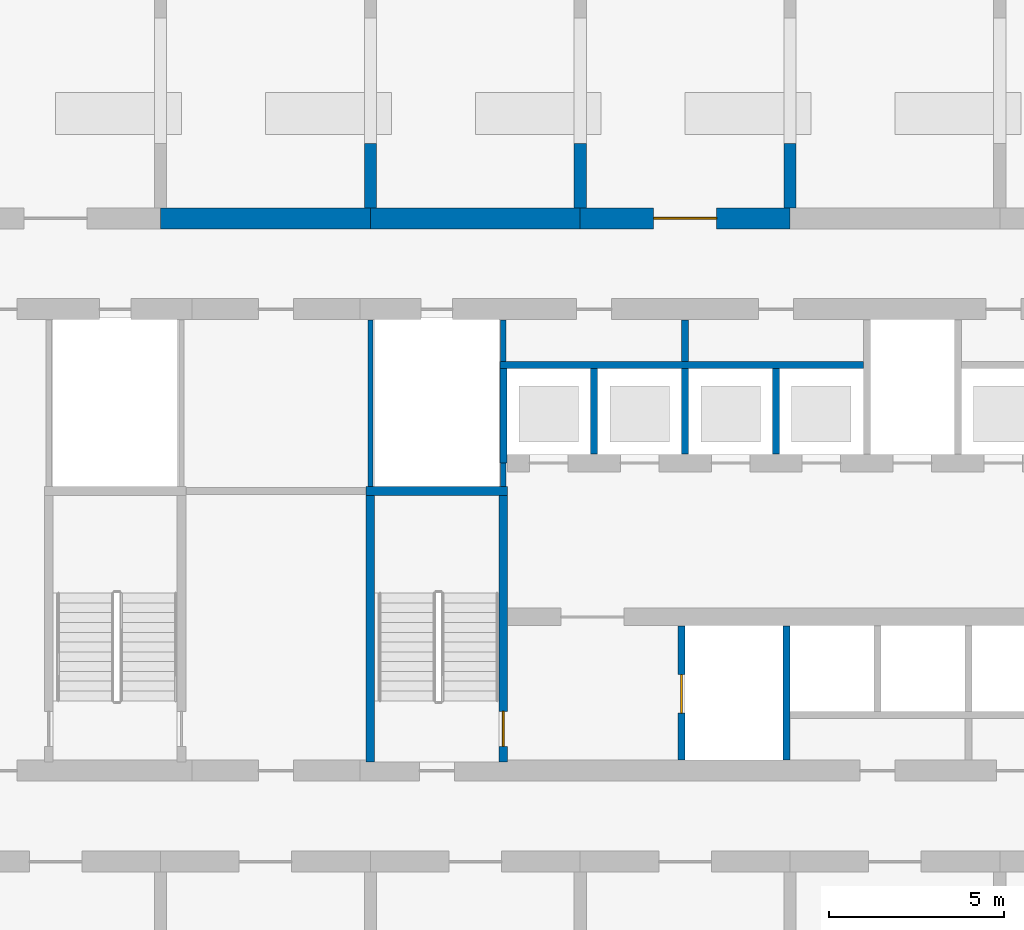
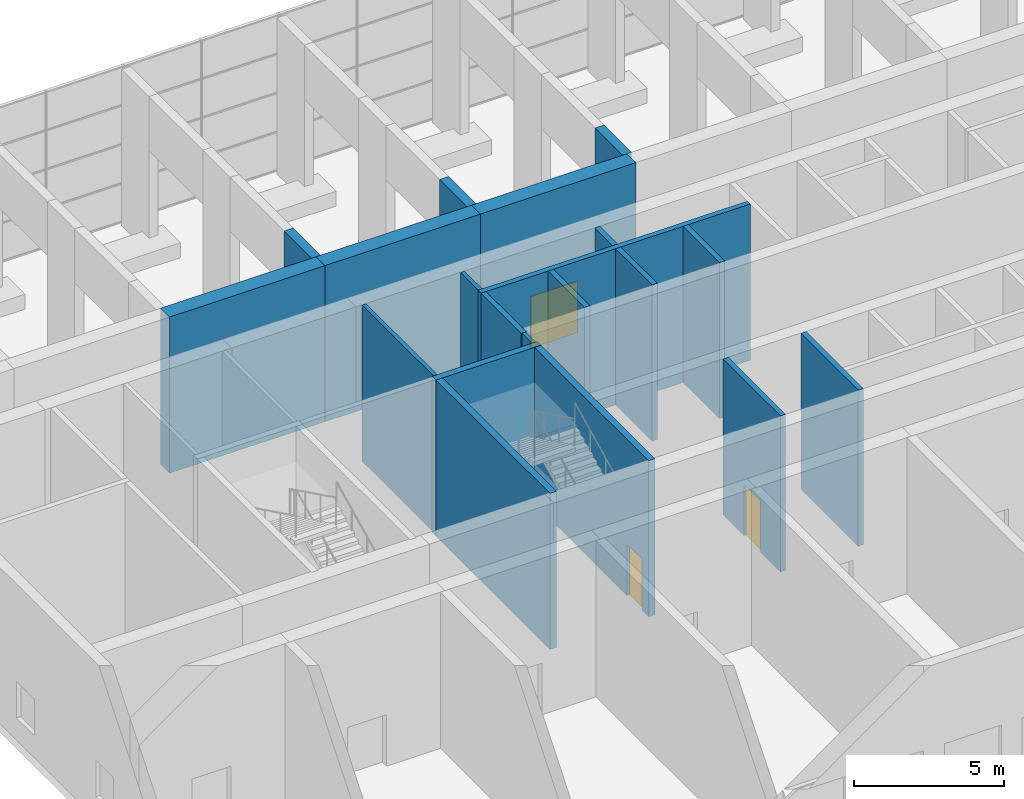
# One storey, part 7 of 16: 20 walls, 3 doors, 3 openings.
"""IFC4 building model written with IfcOpenShell, lengths in metres."""

from ifc_helpers import new_model, si_unit, direction, frame, frame_2d, origin, place, context, subcontext, project, spatial, rectangle, extrude, material, layer, layer_set, type_object, element, fill, save


model = new_model("IFC4")

# Units and contexts
model_context = context("Model", 3, precision=1e-05, world=origin(), true_north=direction((0.0, 1.0)))
body_context = subcontext(model_context, "Body", "Model", "MODEL_VIEW")
ifc_project = project(units=[si_unit("LENGTHUNIT", "METRE"), si_unit("AREAUNIT", "SQUARE_METRE"), si_unit("VOLUMEUNIT", "CUBIC_METRE"), si_unit("PLANEANGLEUNIT", "RADIAN"), si_unit("MASSUNIT", "GRAM", prefix="KILO")], contexts=[model_context])

# Site, building, storey
site_placement = place(None, origin())
site = spatial("IfcSite", under=ifc_project, at=site_placement, CompositionType="ELEMENT")
building_placement = place(site_placement, origin())
building = spatial("IfcBuilding", under=site, at=building_placement, Name="Poui Terraces", CompositionType="ELEMENT")
storey_placement = place(building_placement, frame((0.0, 0.0, 115.800048828125)))
storey = spatial("IfcBuildingStorey", under=building, at=storey_placement, Name="L32", CompositionType="ELEMENT", Elevation=115.800048828125)

# Walls
ifc_material_1 = material(Name="Concrete 65 MPa", Category="concrete")
ifc_layer_1 = layer(ifc_material_1, 0.60009765625)
ifc_layer_set_1 = layer_set([ifc_layer_1], Name="Concrete 65 MPa")
wall_type_1 = type_object("IfcWallType", Name="BELT WALL 600 65MPa", PredefinedType="SHEAR", material=ifc_layer_set_1)
for number, where, z_axis, x_axis, name in (
    (1, (24.0, 30.39990234375, 0.0), (0.0, 0.0, 1.0), (1.0, 0.0, 0.0), "BELT WALL LINE E BAY 3"),
    (2, (30.0, 30.39990234375, 0.0), (0.0, 0.0, 1.0), (1.0, 0.0, 0.0), "BELT WALL LINE E BAY 4"),
):
    element("IfcWall", number, at=place(storey_placement, frame(where, z_axis=z_axis, x_axis=x_axis)), inside=storey, type_object=wall_type_1, Name=name, PredefinedType="SHEAR", context=body_context, shape_type="SweptSolid", body=[
        extrude(rectangle(XDim=6.0, YDim=0.60009765625, at=frame_2d((3.0, 0.0))), origin(), (0.0, 0.0, 1.0), 6.369873046875),
    ])

# Wall, opening, door
wall_1_placement = place(storey_placement, frame((36.0, 30.39990234375, 0.0), z_axis=(0.0, 0.0, 1.0), x_axis=(1.0, 0.0, 0.0)))
wall_1 = element("IfcWall", 3, at=wall_1_placement, inside=storey, type_object=wall_type_1, Name="BELT WALL LINE E BAY 5", PredefinedType="SHEAR", context=body_context, shape_type="SweptSolid", body=[
    extrude(rectangle(XDim=6.0, YDim=0.60009765625, at=frame_2d((3.0, 0.0))), origin(), (0.0, 0.0, 1.0), 6.369873046875),
])
opening_1_placement = place(wall_1_placement, frame((2.10009765625, 0.0, 0.0)))
opening_1 = element("IfcOpeningElement", 4, at=opening_1_placement, cuts=wall_1, Name="Opening DD180", PredefinedType="OPENING", context=body_context, shape_type="SweptSolid", body=[
    extrude(rectangle(XDim=1.800048828125, YDim=2.10009765625, at=frame_2d((0.89990234375, 1.050048828125))), frame((0.0, 0.31005859375, 0.0), z_axis=(0.0, -1.0, 0.0), x_axis=(1.0, 0.0, 0.0)), (0.0, 0.0, 1.0), 0.6201171875),
])
ifc_material_2 = material(Name="Steel fire door", Category="steel")
door_type_1 = type_object("IfcDoorType", Name="DOUBLE INTERNAL DOOR 1800 X 2100", OperationType="DOUBLE_DOOR_SINGLE_SWING", PredefinedType="DOOR", material=ifc_material_2)
door_1_placement = place(opening_1_placement, frame((1.800048828125, 0.0, 0.0), z_axis=(0.0, 0.0, 1.0), x_axis=(-1.0, 0.0, 0.0)))
door_1 = element("IfcDoor", 5, at=door_1_placement, inside=storey, type_object=door_type_1, Name="DOUBLE INTERNAL DOOR 008", OperationType="DOUBLE_DOOR_SINGLE_SWING", OverallHeight=2.10009765625, OverallWidth=1.800048828125, PredefinedType="DOOR", context=body_context, shape_type="SweptSolid", body=[
    extrude(rectangle(XDim=1.800048828125, YDim=2.10009765625, at=frame_2d((0.89990234375, 1.050048828125))), frame((0.0, 0.02490234375, 0.0), z_axis=(0.0, -1.0, 0.0), x_axis=(1.0, 0.0, 0.0)), (0.0, 0.0, 1.0), 0.050048828125),
])
fill(opening_1, door_1)

# Walls
ifc_layer_2 = layer(ifc_material_1, 0.35009765625)
ifc_layer_set_2 = layer_set([ifc_layer_2], Name="Concrete 65 MPa")
wall_type_2 = type_object("IfcWallType", Name="PIERCED CROSS WALL 350 65MPa", PredefinedType="SHEAR", material=ifc_layer_set_2)
for number, where, z_axis, x_axis, name in (
    (6, (30.0, 30.699951171875, 0.0), (0.0, 0.0, 1.0), (0.0, 1.0, 0.0), "PIER LINE 6 1"),
    (7, (36.0, 30.699951171875, 0.0), (0.0, 0.0, 1.0), (0.0, 1.0, 0.0), "PIER LINE 7 1"),
    (8, (42.0, 30.699951171875, 0.0), (0.0, 0.0, 1.0), (0.0, 1.0, 0.0), "PIER LINE 8 1"),
):
    element("IfcWall", number, at=place(storey_placement, frame(where, z_axis=z_axis, x_axis=x_axis)), inside=storey, type_object=wall_type_2, Name=name, PredefinedType="SHEAR", context=body_context, shape_type="SweptSolid", body=[
        extrude(rectangle(XDim=1.833251953125, YDim=0.35009765625, at=frame_2d((0.91650390625, 0.0))), origin(), (0.0, 0.0, 1.0), 6.369873046875),
    ])
ifc_material_3 = material(Name="Fire-rated masonry wall", Category="masonry")
ifc_layer_3 = layer(ifc_material_3, 0.199951171875)
ifc_layer_set_3 = layer_set([ifc_layer_3], Name="Fire-rated masonry wall")
wall_type_3 = type_object("IfcWallType", Name="PLANT ROOM WALL 200", PredefinedType="PARTITIONING", material=ifc_layer_set_3)
wall_2_placement = place(storey_placement, frame((39.0, 26.300048828125, 0.0), z_axis=(0.0, 0.0, 1.0), x_axis=(0.0, 1.0, 0.0)))
element("IfcWall", 9, at=wall_2_placement, inside=storey, type_object=wall_type_3, Name="PLANT ROOM WALL 200", PredefinedType="PARTITIONING", context=body_context, shape_type="SweptSolid", body=[
    extrude(rectangle(XDim=1.18994140625, YDim=0.199951171875, at=frame_2d((0.594970703125, 0.0))), origin(), (0.0, 0.0, 1.0), 6.369873046875),
])
ifc_material_4 = material(Name="Fire-rated plasterboard riser wall")
ifc_layer_4 = layer(ifc_material_4, 0.14990234375)
ifc_layer_set_4 = layer_set([ifc_layer_4], Name="Fire-rated plasterboard riser wall")
wall_type_4 = type_object("IfcWallType", Name="RISER WALL 150", PredefinedType="PARTITIONING", material=ifc_layer_set_4)
wall_3_placement = place(storey_placement, frame((30.0, 22.735107421875, 0.0), z_axis=(0.0, 0.0, 1.0), x_axis=(0.0, 1.0, 0.0)))
element("IfcWall", 10, at=wall_3_placement, inside=storey, type_object=wall_type_4, Name="RISER WALL 150", PredefinedType="PARTITIONING", context=body_context, shape_type="SweptSolid", body=[
    extrude(rectangle(XDim=4.7548828125, YDim=0.14990234375, at=frame_2d((2.37744140625, 0.0))), origin(), (0.0, 0.0, 1.0), 6.369873046875),
])
wall_4_placement = place(storey_placement, frame((33.800048828125, 22.735107421875, 0.0), z_axis=(0.0, 0.0, 1.0), x_axis=(0.0, 1.0, 0.0)))
element("IfcWall", 11, at=wall_4_placement, inside=storey, type_object=wall_type_4, Name="RISER WALL 150", PredefinedType="PARTITIONING", context=body_context, shape_type="SweptSolid", body=[
    extrude(rectangle(XDim=0.664794921875, YDim=0.14990234375, at=frame_2d((0.33251953125, 0.0))), origin(), (0.0, 0.0, 1.0), 6.369873046875),
])
wall_5_placement = place(storey_placement, frame((33.800048828125, 26.300048828125, 0.0), z_axis=(0.0, 0.0, 1.0), x_axis=(0.0, 1.0, 0.0)))
element("IfcWall", 12, at=wall_5_placement, inside=storey, type_object=wall_type_4, Name="RISER WALL 150", PredefinedType="PARTITIONING", context=body_context, shape_type="SweptSolid", body=[
    extrude(rectangle(XDim=1.18994140625, YDim=0.14990234375, at=frame_2d((0.594970703125, 0.0))), origin(), (0.0, 0.0, 1.0), 6.369873046875),
])
ifc_material_5 = material(Name="Fire-rated masonry shaft wall", Category="masonry")
ifc_layer_5 = layer(ifc_material_5, 0.199951171875)
ifc_layer_set_5 = layer_set([ifc_layer_5], Name="Fire-rated masonry shaft wall")
wall_type_5 = type_object("IfcWallType", Name="SHAFT WALL 200", PredefinedType="PARTITIONING", material=ifc_layer_set_5)
wall_6_placement = place(storey_placement, frame((33.699951171875, 26.199951171875, 0.0), z_axis=(0.0, 0.0, 1.0), x_axis=(1.0, 0.0, 0.0)))
element("IfcWall", 13, at=wall_6_placement, inside=storey, type_object=wall_type_5, Name="SHAFT WALL 200", PredefinedType="PARTITIONING", context=body_context, shape_type="SweptSolid", body=[
    extrude(rectangle(XDim=10.400146484375, YDim=0.199951171875, at=frame_2d((5.2001953125, 0.0))), origin(), (0.0, 0.0, 1.0), 6.369873046875),
])
wall_7_placement = place(storey_placement, frame((33.800048828125, 23.39990234375, 0.0), z_axis=(0.0, 0.0, 1.0), x_axis=(0.0, 1.0, 0.0)))
element("IfcWall", 14, at=wall_7_placement, inside=storey, type_object=wall_type_5, Name="SHAFT WALL 200", PredefinedType="PARTITIONING", context=body_context, shape_type="SweptSolid", body=[
    extrude(rectangle(XDim=2.7001953125, YDim=0.199951171875, at=frame_2d((1.35009765625, 0.0))), origin(), (0.0, 0.0, 1.0), 6.369873046875),
])
wall_8_placement = place(storey_placement, frame((36.39990234375, 23.659912109375, 0.0), z_axis=(0.0, 0.0, 1.0), x_axis=(0.0, 1.0, 0.0)))
element("IfcWall", 15, at=wall_8_placement, inside=storey, type_object=wall_type_5, Name="SHAFT WALL 200", PredefinedType="PARTITIONING", context=body_context, shape_type="SweptSolid", body=[
    extrude(rectangle(XDim=2.440185546875, YDim=0.199951171875, at=frame_2d((1.22021484375, 0.0))), origin(), (0.0, 0.0, 1.0), 6.369873046875),
])

# Wall, opening, door
wall_9_placement = place(storey_placement, frame((38.89990234375, 14.909912109375, 0.0), z_axis=(0.0, 0.0, 1.0), x_axis=(0.0, 1.0, 0.0)))
wall_9 = element("IfcWall", 16, at=wall_9_placement, inside=storey, type_object=wall_type_5, Name="SHAFT WALL 200", PredefinedType="PARTITIONING", context=body_context, shape_type="SweptSolid", body=[
    extrude(rectangle(XDim=3.830078125, YDim=0.199951171875, at=frame_2d((1.9150390625, 0.0))), origin(), (0.0, 0.0, 1.0), 6.369873046875),
])
opening_2_placement = place(wall_9_placement, frame((1.340087890625, 0.0, 0.0)))
opening_2 = element("IfcOpeningElement", 17, at=opening_2_placement, cuts=wall_9, Name="Opening LD", PredefinedType="OPENING", context=body_context, shape_type="SweptSolid", body=[
    extrude(rectangle(XDim=1.10009765625, YDim=2.10009765625, at=frame_2d((0.550048828125, 1.050048828125))), frame((0.0, 0.10986328125, 0.0), z_axis=(0.0, -1.0, 0.0), x_axis=(1.0, 0.0, 0.0)), (0.0, 0.0, 1.0), 0.219970703125),
])
ifc_material_6 = material(Name="Stainless steel sliding door", Category="steel")
door_type_2 = type_object("IfcDoorType", Name="LIFT LANDING DOOR 1100 X 2100", OperationType="DOUBLE_DOOR_SLIDING", PredefinedType="DOOR", material=ifc_material_6)
door_2_placement = place(opening_2_placement, origin())
door_2 = element("IfcDoor", 18, at=door_2_placement, inside=storey, type_object=door_type_2, Name="LANDING DOOR", OperationType="DOUBLE_DOOR_SLIDING", OverallHeight=2.10009765625, OverallWidth=1.10009765625, PredefinedType="DOOR", context=body_context, shape_type="SweptSolid", body=[
    extrude(rectangle(XDim=1.10009765625, YDim=2.10009765625, at=frame_2d((0.550048828125, 1.050048828125))), frame((0.0, 0.02490234375, 0.0), z_axis=(0.0, -1.0, 0.0), x_axis=(1.0, 0.0, 0.0)), (0.0, 0.0, 1.0), 0.050048828125),
])
fill(opening_2, door_2)

# Walls
for number, where, z_axis, x_axis, name in (
    (19, (39.0, 23.659912109375, 0.0), (0.0, 0.0, 1.0), (0.0, 1.0, 0.0), "SHAFT WALL 200"),
    (20, (41.60009765625, 23.659912109375, 0.0), (0.0, 0.0, 1.0), (0.0, 1.0, 0.0), "SHAFT WALL 200"),
):
    element("IfcWall", number, at=place(storey_placement, frame(where, z_axis=z_axis, x_axis=x_axis)), inside=storey, type_object=wall_type_5, Name=name, PredefinedType="PARTITIONING", context=body_context, shape_type="SweptSolid", body=[
        extrude(rectangle(XDim=2.440185546875, YDim=0.199951171875, at=frame_2d((1.22021484375, 0.0))), origin(), (0.0, 0.0, 1.0), 6.369873046875),
    ])
wall_10_placement = place(storey_placement, frame((41.89990234375, 14.909912109375, 0.0), z_axis=(0.0, 0.0, 1.0), x_axis=(0.0, 1.0, 0.0)))
element("IfcWall", 21, at=wall_10_placement, inside=storey, type_object=wall_type_5, Name="SHAFT WALL 200", PredefinedType="PARTITIONING", context=body_context, shape_type="SweptSolid", body=[
    extrude(rectangle(XDim=3.830078125, YDim=0.199951171875, at=frame_2d((1.9150390625, 0.0))), origin(), (0.0, 0.0, 1.0), 6.369873046875),
])
ifc_layer_6 = layer(ifc_material_1, 0.25)
ifc_layer_set_6 = layer_set([ifc_layer_6], Name="Concrete 65 MPa")
wall_type_6 = type_object("IfcWallType", Name="STAIR CORE WALL 250 65 MPA", PredefinedType="SOLIDWALL", material=ifc_layer_set_6)
wall_11_placement = place(storey_placement, frame((30.0, 14.85009765625, 0.0), z_axis=(0.0, 0.0, 1.0), x_axis=(0.0, 1.0, 0.0)))
element("IfcWall", 22, at=wall_11_placement, inside=storey, type_object=wall_type_6, Name="STAIR CORE WALL", PredefinedType="SOLIDWALL", context=body_context, shape_type="SweptSolid", body=[
    extrude(rectangle(XDim=7.625, YDim=0.25, at=frame_2d((3.8125, 0.0))), origin(), (0.0, 0.0, 1.0), 6.369873046875),
])

# Wall, opening, door
wall_12_placement = place(storey_placement, frame((33.800048828125, 14.85009765625, 0.0), z_axis=(0.0, 0.0, 1.0), x_axis=(0.0, 1.0, 0.0)))
wall_12 = element("IfcWall", 23, at=wall_12_placement, inside=storey, type_object=wall_type_6, Name="STAIR CORE WALL", PredefinedType="SOLIDWALL", context=body_context, shape_type="SweptSolid", body=[
    extrude(rectangle(XDim=7.625, YDim=0.25, at=frame_2d((3.8125, 0.0))), origin(), (0.0, 0.0, 1.0), 6.369873046875),
])
opening_3_placement = place(wall_12_placement, frame((0.449951171875, 0.0, 0.0)))
opening_3 = element("IfcOpeningElement", 24, at=opening_3_placement, cuts=wall_12, Name="Opening FD60S", PredefinedType="OPENING", context=body_context, shape_type="SweptSolid", body=[
    extrude(rectangle(XDim=1.0, YDim=2.10009765625, at=frame_2d((0.5, 1.050048828125))), frame((0.0, 0.135009765625, 0.0), z_axis=(0.0, -1.0, 0.0), x_axis=(1.0, 0.0, 0.0)), (0.0, 0.0, 1.0), 0.27001953125),
])
door_type_3 = type_object("IfcDoorType", Name="STAIR DOOR 1000 X 2100", OperationType="NOTDEFINED", PredefinedType="DOOR", material=ifc_material_2)
door_3_placement = place(opening_3_placement, origin())
door_3 = element("IfcDoor", 25, at=door_3_placement, inside=storey, type_object=door_type_3, Name="STAIR DOOR 047", OperationType="SINGLE_SWING_LEFT", OverallHeight=2.10009765625, OverallWidth=1.0, PredefinedType="DOOR", context=body_context, shape_type="SweptSolid", body=[
    extrude(rectangle(XDim=1.0, YDim=2.10009765625, at=frame_2d((0.5, 1.050048828125))), frame((0.0, 0.02490234375, 0.0), z_axis=(0.0, -1.0, 0.0), x_axis=(1.0, 0.0, 0.0)), (0.0, 0.0, 1.0), 0.050048828125),
])
fill(opening_3, door_3)

# Wall
wall_13_placement = place(storey_placement, frame((29.875, 22.60009765625, 0.0), z_axis=(0.0, 0.0, 1.0), x_axis=(1.0, 0.0, 0.0)))
element("IfcWall", 26, at=wall_13_placement, inside=storey, type_object=wall_type_6, Name="STAIR CORE WALL", PredefinedType="SOLIDWALL", context=body_context, shape_type="SweptSolid", body=[
    extrude(rectangle(XDim=4.050048828125, YDim=0.25, at=frame_2d((2.02490234375, 0.0))), origin(), (0.0, 0.0, 1.0), 6.369873046875),
])

save(model, "model.ifc")
